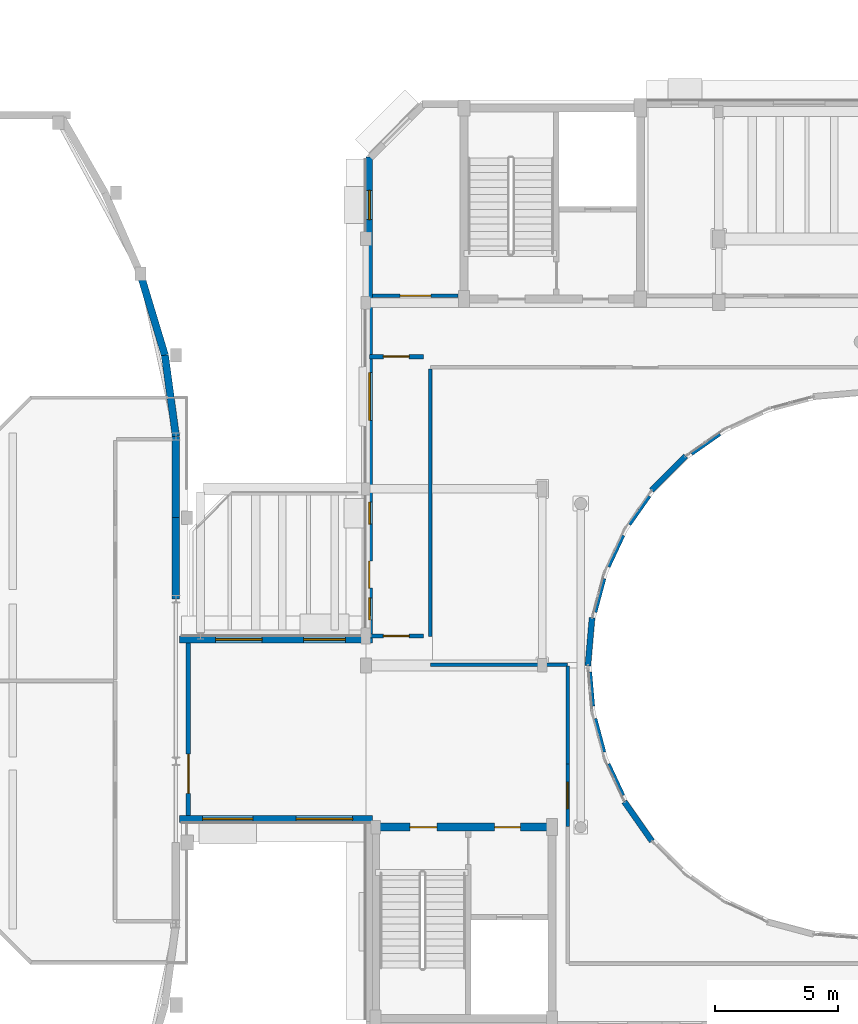
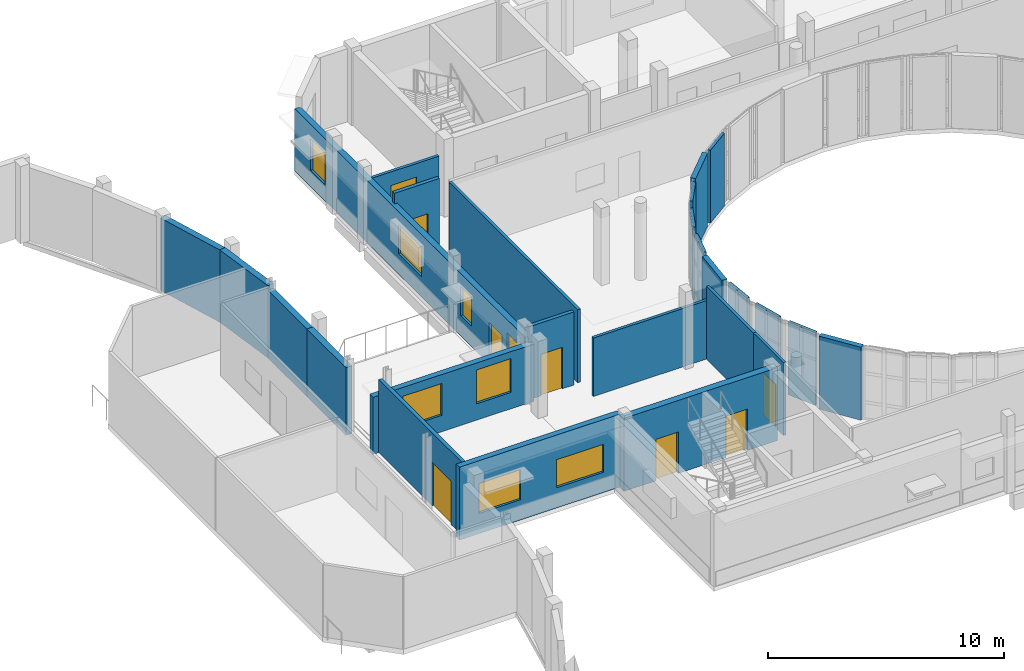
# One storey, part 66 of 92: 26 walls, 8 doors, 8 windows, 16 openings.
"""IFC4 building model written with IfcOpenShell, lengths in metres."""

from ifc_helpers import new_model, si_unit, direction, frame, frame_2d, origin, place, context, subcontext, project, spatial, rectangle, extrude, material, layer, layer_set, type_object, element, fill, save


model = new_model("IFC4")

# Units and contexts
model_context = context("Model", 3, precision=1e-05, world=origin(), true_north=direction((0.0, 1.0)))
body_context = subcontext(model_context, "Body", "Model", "MODEL_VIEW")
ifc_project = project(units=[si_unit("LENGTHUNIT", "METRE"), si_unit("AREAUNIT", "SQUARE_METRE"), si_unit("VOLUMEUNIT", "CUBIC_METRE"), si_unit("PLANEANGLEUNIT", "RADIAN"), si_unit("MASSUNIT", "GRAM", prefix="KILO")], contexts=[model_context])

# Site, building, storey
site_placement = place(None, origin())
site = spatial("IfcSite", under=ifc_project, at=site_placement, CompositionType="ELEMENT")
building_placement = place(site_placement, origin())
building = spatial("IfcBuilding", under=site, at=building_placement, Name="Kelanivale Promenade Academy", CompositionType="ELEMENT")
storey_placement = place(building_placement, frame((0.0, 0.0, 8.199951171875)))
storey = spatial("IfcBuildingStorey", under=building, at=storey_placement, Name="L02", CompositionType="ELEMENT", Elevation=8.199951171875)

# Wall, openings, doors
ifc_material_1 = material(Name="Concrete C40/50", Category="concrete")
ifc_layer_1 = layer(ifc_material_1, 0.330078125)
ifc_layer_set_1 = layer_set([ifc_layer_1], Name="Concrete C40/50")
wall_type_1 = type_object("IfcWallType", Name="CW-S1 Wall 330mm", PredefinedType="SHEAR", material=ifc_layer_set_1)
wall_1_placement = place(storey_placement, frame((43.43505859375, 50.199951171875, 0.0), z_axis=(0.0, 0.0, 1.0), x_axis=(1.0, 0.0, 0.0)))
wall_1 = element("IfcWall", 1, at=wall_1_placement, inside=storey, type_object=wall_type_1, Name="CORE-6 RC shear wall N L02", PredefinedType="SHEAR", context=body_context, shape_type="SweptSolid", body=[
    extrude(rectangle(XDim=7.530029296875, YDim=0.330078125, at=frame_2d((3.76513671875, 0.0))), origin(), (0.0, 0.0, 1.0), 3.780029296875),
])
opening_1_placement = place(wall_1_placement, frame((5.014892578125, 0.0, 0.0)))
opening_1 = element("IfcOpeningElement", 2, at=opening_1_placement, cuts=wall_1, Name="Opening FD-CORE-6-LB-L02", PredefinedType="OPENING", context=body_context, shape_type="SweptSolid", body=[
    extrude(rectangle(XDim=1.050048828125, YDim=2.14990234375, at=frame_2d((0.52490234375, 1.074951171875))), frame((0.0, 0.175048828125, 0.0), z_axis=(0.0, -1.0, 0.0), x_axis=(1.0, 0.0, 0.0)), (0.0, 0.0, 1.0), 0.35009765625),
])
opening_2_placement = place(wall_1_placement, frame((1.56494140625, 0.0, 0.0)))
opening_2 = element("IfcOpeningElement", 3, at=opening_2_placement, cuts=wall_1, Name="Opening FD-CORE-6-ST-L02", PredefinedType="OPENING", context=body_context, shape_type="SweptSolid", body=[
    extrude(rectangle(XDim=1.10009765625, YDim=2.14990234375, at=frame_2d((0.550048828125, 1.074951171875))), frame((0.0, 0.175048828125, 0.0), z_axis=(0.0, -1.0, 0.0), x_axis=(1.0, 0.0, 0.0)), (0.0, 0.0, 1.0), 0.35009765625),
])
ifc_material_2 = material(Name="Fire-rated steel-core teak veneer", Category="steel")
door_type_1 = type_object("IfcDoorType", Name="DT-F01 Door 1100x2150", OperationType="NOTDEFINED", PredefinedType="DOOR", material=ifc_material_2)
door_1_placement = place(opening_2_placement, origin())
door_1 = element("IfcDoor", 4, at=door_1_placement, inside=storey, type_object=door_type_1, Name="CORE-6 protected stair fire door L02", OperationType="SINGLE_SWING_RIGHT", OverallHeight=2.14990234375, OverallWidth=1.10009765625, PredefinedType="DOOR", context=body_context, shape_type="SweptSolid", body=[
    extrude(rectangle(XDim=1.10009765625, YDim=2.14990234375, at=frame_2d((0.550048828125, 1.074951171875))), frame((0.0, 0.02490234375, 0.0), z_axis=(0.0, -1.0, 0.0), x_axis=(1.0, 0.0, 0.0)), (0.0, 0.0, 1.0), 0.050048828125),
])
fill(opening_2, door_1)
door_type_2 = type_object("IfcDoorType", Name="DT-F03 Door 1050x2150", OperationType="NOTDEFINED", PredefinedType="DOOR", material=ifc_material_2)
door_2_placement = place(opening_1_placement, origin())
door_2 = element("IfcDoor", 5, at=door_2_placement, inside=storey, type_object=door_type_2, Name="CORE-6 corridor-to-lobby fire door L02", OperationType="SINGLE_SWING_LEFT", OverallHeight=2.14990234375, OverallWidth=1.050048828125, PredefinedType="DOOR", context=body_context, shape_type="SweptSolid", body=[
    extrude(rectangle(XDim=1.050048828125, YDim=2.14990234375, at=frame_2d((0.52490234375, 1.074951171875))), frame((0.0, 0.02490234375, 0.0), z_axis=(0.0, -1.0, 0.0), x_axis=(1.0, 0.0, 0.0)), (0.0, 0.0, 1.0), 0.050048828125),
])
fill(opening_1, door_2)

# Walls
ifc_material_3 = material(Name="Insulated terracotta-clad masonry wall 300 mm", Category="masonry")
ifc_layer_2 = layer(ifc_material_3, 0.300048828125)
ifc_layer_set_2 = layer_set([ifc_layer_2], Name="Insulated terracotta-clad masonry wall 300 mm")
wall_type_2 = type_object("IfcWallType", Name="EW-01 Wall 300mm", PredefinedType="SOLIDWALL", material=ifc_layer_set_2)
wall_2_placement = place(storey_placement, frame((35.449951171875, 59.513916015625, 0.0), z_axis=(0.0, 0.0, 1.0), x_axis=(0.0, 1.0, 0.0)))
element("IfcWall", 6, at=wall_2_placement, inside=storey, type_object=wall_type_2, Name="Sports Hall Crescent Pavilion inner crescent wall L02", PredefinedType="SOLIDWALL", context=body_context, shape_type="SweptSolid", body=[
    extrude(rectangle(XDim=3.315185546875, YDim=0.300048828125, at=frame_2d((1.65771484375, 0.0))), origin(), (0.0, 0.0, 1.0), 3.505126953125),
])
wall_3_placement = place(storey_placement, frame((35.449951171875, 62.8291015625, 0.0), z_axis=(0.0, 0.0, 1.0), x_axis=(0.0, 1.0, 0.0)))
element("IfcWall", 7, at=wall_3_placement, inside=storey, type_object=wall_type_2, Name="Sports Hall Crescent Pavilion inner crescent wall L02", PredefinedType="SOLIDWALL", context=body_context, shape_type="SweptSolid", body=[
    extrude(rectangle(XDim=3.31396484375, YDim=0.300048828125, at=frame_2d((1.656982421875, 0.0))), origin(), (0.0, 0.0, 1.0), 3.505126953125),
])
wall_4_placement = place(storey_placement, frame((35.449951171875, 66.14306640625, 0.0), z_axis=(0.0, 0.0, 1.0), x_axis=(-0.134539839792, 0.990908185206, 0.0)))
element("IfcWall", 8, at=wall_4_placement, inside=storey, type_object=wall_type_2, Name="Sports Hall Crescent Pavilion inner crescent wall L02", PredefinedType="SOLIDWALL", context=body_context, shape_type="SweptSolid", body=[
    extrude(rectangle(XDim=3.344482421875, YDim=0.300048828125, at=frame_2d((1.67236328125, 0.0))), origin(), (0.0, 0.0, 1.0), 3.7451171875),
])
wall_5_placement = place(storey_placement, frame((35.0, 69.45703125, 0.0), z_axis=(0.0, 0.0, 1.0), x_axis=(-0.288887509039, 0.957363048755, 0.0)))
element("IfcWall", 9, at=wall_5_placement, inside=storey, type_object=wall_type_2, Name="Sports Hall Crescent Pavilion inner crescent wall L02", PredefinedType="SOLIDWALL", context=body_context, shape_type="SweptSolid", body=[
    extrude(rectangle(XDim=3.461669921875, YDim=0.300048828125, at=frame_2d((1.73095703125, 0.0))), origin(), (0.0, 0.0, 1.0), 3.7451171875),
])

# Wall, openings, door, windows
ifc_material_4 = material(Name="Insulated ivory stucco masonry wall 280 mm", Category="masonry")
ifc_layer_3 = layer(ifc_material_4, 0.280029296875)
ifc_layer_set_3 = layer_set([ifc_layer_3], Name="Insulated ivory stucco masonry wall 280 mm")
wall_type_3 = type_object("IfcWallType", Name="EW-02 Wall 280mm", PredefinedType="SOLIDWALL", material=ifc_layer_set_3)
wall_6_placement = place(storey_placement, frame((43.340087890625, 77.5380859375, 0.0), z_axis=(0.0, 0.0, 1.0), x_axis=(0.0, -1.0, 0.0)))
wall_6 = element("IfcWall", 10, at=wall_6_placement, inside=storey, type_object=wall_type_3, Name="L02 exterior facade wall EW-L02-ORT-0439", PredefinedType="SOLIDWALL", context=body_context, shape_type="SweptSolid", body=[
    extrude(rectangle(XDim=19.5380859375, YDim=0.280029296875, at=frame_2d((9.76904296875, 0.0))), origin(), (0.0, 0.0, 1.0), 3.22509765625),
])
opening_3_placement = place(wall_6_placement, frame((16.488037109375, 0.0, 0.0)))
opening_3 = element("IfcOpeningElement", 11, at=opening_3_placement, cuts=wall_6, Name="Opening XD-202", PredefinedType="OPENING", context=body_context, shape_type="SweptSolid", body=[
    extrude(rectangle(XDim=1.10009765625, YDim=2.14990234375, at=frame_2d((0.550048828125, 1.074951171875))), frame((0.0, 0.14990234375, 0.0), z_axis=(0.0, -1.0, 0.0), x_axis=(1.0, 0.0, 0.0)), (0.0, 0.0, 1.0), 0.300048828125),
])
opening_4_placement = place(wall_6_placement, frame((1.35400390625, 0.0, 0.85009765625)))
opening_4 = element("IfcOpeningElement", 12, at=opening_4_placement, cuts=wall_6, Name="Opening WT-05", PredefinedType="OPENING", context=body_context, shape_type="SweptSolid", body=[
    extrude(rectangle(XDim=1.199951171875, YDim=1.64990234375, at=frame_2d((0.60009765625, 0.824951171875))), frame((0.0, 0.14990234375, 0.0), z_axis=(0.0, -1.0, 0.0), x_axis=(1.0, 0.0, 0.0)), (0.0, 0.0, 1.0), 0.300048828125),
])
opening_5_placement = place(wall_6_placement, frame((8.7939453125, 0.0, 1.050048828125)))
opening_5 = element("IfcOpeningElement", 13, at=opening_5_placement, cuts=wall_6, Name="Opening WT-22", PredefinedType="OPENING", context=body_context, shape_type="SweptSolid", body=[
    extrude(rectangle(XDim=1.949951171875, YDim=1.5, at=frame_2d((0.97509765625, 0.75))), frame((0.0, 0.14990234375, 0.0), z_axis=(0.0, -1.0, 0.0), x_axis=(1.0, 0.0, 0.0)), (0.0, 0.0, 1.0), 0.300048828125),
])
opening_6_placement = place(wall_6_placement, frame((14.076904296875, 0.0, 1.050048828125)))
opening_6 = element("IfcOpeningElement", 14, at=opening_6_placement, cuts=wall_6, Name="Opening WT-06", PredefinedType="OPENING", context=body_context, shape_type="SweptSolid", body=[
    extrude(rectangle(XDim=0.89990234375, YDim=1.5, at=frame_2d((0.449951171875, 0.75))), frame((0.0, 0.14990234375, 0.0), z_axis=(0.0, -1.0, 0.0), x_axis=(1.0, 0.0, 0.0)), (0.0, 0.0, 1.0), 0.300048828125),
])
opening_7_placement = place(wall_6_placement, frame((17.98388671875, 0.0, 1.050048828125)))
opening_7 = element("IfcOpeningElement", 15, at=opening_7_placement, cuts=wall_6, Name="Opening WT-06", PredefinedType="OPENING", context=body_context, shape_type="SweptSolid", body=[
    extrude(rectangle(XDim=0.89990234375, YDim=1.5, at=frame_2d((0.449951171875, 0.75))), frame((0.0, 0.14990234375, 0.0), z_axis=(0.0, -1.0, 0.0), x_axis=(1.0, 0.0, 0.0)), (0.0, 0.0, 1.0), 0.300048828125),
])
ifc_material_5 = material(Name="Bronze anodised aluminium and laminated glass", Category="aluminium")
door_type_3 = type_object("IfcDoorType", Name="DT-X07 Door 1100x2150", OperationType="NOTDEFINED", PredefinedType="DOOR", material=ifc_material_5)
door_3_placement = place(opening_3_placement, frame((1.10009765625, 0.0, 0.0), z_axis=(0.0, 0.0, 1.0), x_axis=(-1.0, 0.0, 0.0)))
door_3 = element("IfcDoor", 16, at=door_3_placement, inside=storey, type_object=door_type_3, Name="L02 West Shoulder Play Deck door XD-202", OperationType="SINGLE_SWING_LEFT", OverallHeight=2.14990234375, OverallWidth=1.10009765625, PredefinedType="DOOR", context=body_context, shape_type="SweptSolid", body=[
    extrude(rectangle(XDim=1.10009765625, YDim=2.14990234375, at=frame_2d((0.550048828125, 1.074951171875))), frame((0.0, 0.02490234375, 0.0), z_axis=(0.0, -1.0, 0.0), x_axis=(1.0, 0.0, 0.0)), (0.0, 0.0, 1.0), 0.050048828125),
])
fill(opening_3, door_3)
ifc_material_6 = material(Name="Bronze anodised aluminium frame with low-E laminated glass", Category="aluminium")
window_type_1 = type_object("IfcWindowType", Name="WT-05 Window 1200x1650", PartitioningType="SINGLE_PANEL", PredefinedType="WINDOW", material=ifc_material_6)
window_1_placement = place(opening_4_placement, origin())
window_1 = element("IfcWindow", 17, at=window_1_placement, inside=storey, type_object=window_type_1, Name="Window WT-05", OverallHeight=1.64990234375, OverallWidth=1.199951171875, PartitioningType="SINGLE_PANEL", PredefinedType="WINDOW", context=body_context, shape_type="SweptSolid", body=[
    extrude(rectangle(XDim=1.199951171875, YDim=1.64990234375, at=frame_2d((0.60009765625, 0.824951171875))), frame((0.0, 0.030029296875, 0.0), z_axis=(0.0, -1.0, 0.0), x_axis=(1.0, 0.0, 0.0)), (0.0, 0.0, 1.0), 0.06005859375),
])
fill(opening_4, window_1)
window_type_2 = type_object("IfcWindowType", Name="WT-06 Window 900x1500", PartitioningType="SINGLE_PANEL", PredefinedType="WINDOW", material=ifc_material_6)
window_2_placement = place(opening_6_placement, origin())
window_2 = element("IfcWindow", 18, at=window_2_placement, inside=storey, type_object=window_type_2, Name="Window WT-06", OverallHeight=1.5, OverallWidth=0.89990234375, PartitioningType="SINGLE_PANEL", PredefinedType="WINDOW", context=body_context, shape_type="SweptSolid", body=[
    extrude(rectangle(XDim=0.89990234375, YDim=1.5, at=frame_2d((0.449951171875, 0.75))), frame((0.0, 0.030029296875, 0.0), z_axis=(0.0, -1.0, 0.0), x_axis=(1.0, 0.0, 0.0)), (0.0, 0.0, 1.0), 0.06005859375),
])
fill(opening_6, window_2)
window_3_placement = place(opening_7_placement, origin())
window_3 = element("IfcWindow", 19, at=window_3_placement, inside=storey, type_object=window_type_2, Name="Window WT-06", OverallHeight=1.5, OverallWidth=0.89990234375, PartitioningType="SINGLE_PANEL", PredefinedType="WINDOW", context=body_context, shape_type="SweptSolid", body=[
    extrude(rectangle(XDim=0.89990234375, YDim=1.5, at=frame_2d((0.449951171875, 0.75))), frame((0.0, 0.030029296875, 0.0), z_axis=(0.0, -1.0, 0.0), x_axis=(1.0, 0.0, 0.0)), (0.0, 0.0, 1.0), 0.06005859375),
])
fill(opening_7, window_3)
window_type_3 = type_object("IfcWindowType", Name="WT-22 Window 1950x1500", PartitioningType="SINGLE_PANEL", PredefinedType="WINDOW", material=ifc_material_6)
window_4_placement = place(opening_5_placement, origin())
window_4 = element("IfcWindow", 20, at=window_4_placement, inside=storey, type_object=window_type_3, Name="Window WT-22", OverallHeight=1.5, OverallWidth=1.949951171875, PartitioningType="SINGLE_PANEL", PredefinedType="WINDOW", context=body_context, shape_type="SweptSolid", body=[
    extrude(rectangle(XDim=1.949951171875, YDim=1.5, at=frame_2d((0.97509765625, 0.75))), frame((0.0, 0.030029296875, 0.0), z_axis=(0.0, -1.0, 0.0), x_axis=(1.0, 0.0, 0.0)), (0.0, 0.0, 1.0), 0.06005859375),
])
fill(opening_5, window_4)

# Wall, openings, windows
wall_7_placement = place(storey_placement, frame((43.47998046875, 57.860107421875, 0.0), z_axis=(0.0, 0.0, 1.0), x_axis=(-1.0, 0.0, 0.0)))
wall_7 = element("IfcWall", 21, at=wall_7_placement, inside=storey, type_object=wall_type_3, Name="L02 exterior facade wall EW-L02-ORT-0440", PredefinedType="SOLIDWALL", context=body_context, shape_type="SweptSolid", body=[
    extrude(rectangle(XDim=7.8798828125, YDim=0.280029296875, at=frame_2d((3.93994140625, 0.0))), origin(), (0.0, 0.0, 1.0), 2.9599609375),
])
opening_8_placement = place(wall_7_placement, frame((1.1201171875, 0.0, 0.85009765625)))
opening_8 = element("IfcOpeningElement", 22, at=opening_8_placement, cuts=wall_7, Name="Opening WT-25", PredefinedType="OPENING", context=body_context, shape_type="SweptSolid", body=[
    extrude(rectangle(XDim=1.699951171875, YDim=1.75, at=frame_2d((0.85009765625, 0.875))), frame((0.0, 0.14990234375, 0.0), z_axis=(0.0, -1.0, 0.0), x_axis=(1.0, 0.0, 0.0)), (0.0, 0.0, 1.0), 0.300048828125),
])
opening_9_placement = place(wall_7_placement, frame((4.510009765625, 0.0, 0.85009765625)))
opening_9 = element("IfcOpeningElement", 23, at=opening_9_placement, cuts=wall_7, Name="Opening WT-26", PredefinedType="OPENING", context=body_context, shape_type="SweptSolid", body=[
    extrude(rectangle(XDim=1.89990234375, YDim=1.64990234375, at=frame_2d((0.949951171875, 0.824951171875))), frame((0.0, 0.14990234375, 0.0), z_axis=(0.0, -1.0, 0.0), x_axis=(1.0, 0.0, 0.0)), (0.0, 0.0, 1.0), 0.300048828125),
])
window_type_4 = type_object("IfcWindowType", Name="WT-25 Window 1700x1750", PartitioningType="SINGLE_PANEL", PredefinedType="WINDOW", material=ifc_material_6)
window_5_placement = place(opening_8_placement, origin())
window_5 = element("IfcWindow", 24, at=window_5_placement, inside=storey, type_object=window_type_4, Name="Window WT-25", OverallHeight=1.75, OverallWidth=1.699951171875, PartitioningType="SINGLE_PANEL", PredefinedType="WINDOW", context=body_context, shape_type="SweptSolid", body=[
    extrude(rectangle(XDim=1.699951171875, YDim=1.75, at=frame_2d((0.85009765625, 0.875))), frame((0.0, 0.030029296875, 0.0), z_axis=(0.0, -1.0, 0.0), x_axis=(1.0, 0.0, 0.0)), (0.0, 0.0, 1.0), 0.06005859375),
])
fill(opening_8, window_5)
window_type_5 = type_object("IfcWindowType", Name="WT-26 Window 1900x1650", PartitioningType="SINGLE_PANEL", PredefinedType="WINDOW", material=ifc_material_6)
window_6_placement = place(opening_9_placement, origin())
window_6 = element("IfcWindow", 25, at=window_6_placement, inside=storey, type_object=window_type_5, Name="Window WT-26", OverallHeight=1.64990234375, OverallWidth=1.89990234375, PartitioningType="SINGLE_PANEL", PredefinedType="WINDOW", context=body_context, shape_type="SweptSolid", body=[
    extrude(rectangle(XDim=1.89990234375, YDim=1.64990234375, at=frame_2d((0.949951171875, 0.824951171875))), frame((0.0, 0.030029296875, 0.0), z_axis=(0.0, -1.0, 0.0), x_axis=(1.0, 0.0, 0.0)), (0.0, 0.0, 1.0), 0.06005859375),
])
fill(opening_9, window_6)

wall_8_placement = place(storey_placement, frame((35.60009765625, 50.5400390625, 0.0), z_axis=(0.0, 0.0, 1.0), x_axis=(1.0, 0.0, 0.0)))
wall_8 = element("IfcWall", 26, at=wall_8_placement, inside=storey, type_object=wall_type_3, Name="L02 exterior facade wall EW-L02-ORT-0441", PredefinedType="SOLIDWALL", context=body_context, shape_type="SweptSolid", body=[
    extrude(rectangle(XDim=7.8798828125, YDim=0.280029296875, at=frame_2d((3.93994140625, 0.0))), origin(), (0.0, 0.0, 1.0), 3.780029296875),
])
opening_10_placement = place(wall_8_placement, frame((0.945068359375, 0.0, 1.050048828125)))
opening_10 = element("IfcOpeningElement", 27, at=opening_10_placement, cuts=wall_8, Name="Opening WT-27", PredefinedType="OPENING", context=body_context, shape_type="SweptSolid", body=[
    extrude(rectangle(XDim=2.050048828125, YDim=1.550048828125, at=frame_2d((1.02490234375, 0.77490234375))), frame((0.0, 0.14990234375, 0.0), z_axis=(0.0, -1.0, 0.0), x_axis=(1.0, 0.0, 0.0)), (0.0, 0.0, 1.0), 0.300048828125),
])
opening_11_placement = place(wall_8_placement, frame((4.760009765625, 0.0, 1.050048828125)))
opening_11 = element("IfcOpeningElement", 28, at=opening_11_placement, cuts=wall_8, Name="Opening WT-28", PredefinedType="OPENING", context=body_context, shape_type="SweptSolid", body=[
    extrude(rectangle(XDim=2.300048828125, YDim=1.449951171875, at=frame_2d((1.14990234375, 0.72509765625))), frame((0.0, 0.14990234375, 0.0), z_axis=(0.0, -1.0, 0.0), x_axis=(1.0, 0.0, 0.0)), (0.0, 0.0, 1.0), 0.300048828125),
])
window_type_6 = type_object("IfcWindowType", Name="WT-27 Window 2050x1550", PartitioningType="SINGLE_PANEL", PredefinedType="WINDOW", material=ifc_material_6)
window_7_placement = place(opening_10_placement, origin())
window_7 = element("IfcWindow", 29, at=window_7_placement, inside=storey, type_object=window_type_6, Name="Window WT-27", OverallHeight=1.550048828125, OverallWidth=2.050048828125, PartitioningType="SINGLE_PANEL", PredefinedType="WINDOW", context=body_context, shape_type="SweptSolid", body=[
    extrude(rectangle(XDim=2.050048828125, YDim=1.550048828125, at=frame_2d((1.02490234375, 0.77490234375))), frame((0.0, 0.030029296875, 0.0), z_axis=(0.0, -1.0, 0.0), x_axis=(1.0, 0.0, 0.0)), (0.0, 0.0, 1.0), 0.06005859375),
])
fill(opening_10, window_7)
window_type_7 = type_object("IfcWindowType", Name="WT-28 Window 2300x1450", PartitioningType="SINGLE_PANEL", PredefinedType="WINDOW", material=ifc_material_6)
window_8_placement = place(opening_11_placement, origin())
window_8 = element("IfcWindow", 30, at=window_8_placement, inside=storey, type_object=window_type_7, Name="Window WT-28", OverallHeight=1.449951171875, OverallWidth=2.300048828125, PartitioningType="SINGLE_PANEL", PredefinedType="WINDOW", context=body_context, shape_type="SweptSolid", body=[
    extrude(rectangle(XDim=2.300048828125, YDim=1.449951171875, at=frame_2d((1.14990234375, 0.72509765625))), frame((0.0, 0.030029296875, 0.0), z_axis=(0.0, -1.0, 0.0), x_axis=(1.0, 0.0, 0.0)), (0.0, 0.0, 1.0), 0.06005859375),
])
fill(opening_11, window_8)

# Walls
ifc_material_7 = material(Name="Insulated courtyard stucco masonry wall 240 mm", Category="masonry")
ifc_layer_4 = layer(ifc_material_7, 0.239990234375)
ifc_layer_set_4 = layer_set([ifc_layer_4], Name="Insulated courtyard stucco masonry wall 240 mm")
wall_type_4 = type_object("IfcWallType", Name="EW-04 Wall 240mm", PredefinedType="SOLIDWALL", material=ifc_layer_set_4)
for number, where, z_axis, x_axis, name in (
    (31, (56.248046875, 65.343017578125, 0.0), (0.0, 0.0, 1.0), (-0.707106781187, -0.707106781187, 0.0), "L02 round courtyard stucco wall"),
    (32, (52.429931640625, 58.7470703125, 0.0), (0.0, 0.0, 1.0), (-0.086865228015, -0.996220072154, 0.0), "L02 round courtyard stucco wall"),
):
    element("IfcWall", number, at=place(storey_placement, frame(where, z_axis=z_axis, x_axis=x_axis)), inside=storey, type_object=wall_type_4, Name=name, PredefinedType="SOLIDWALL", context=body_context, shape_type="SweptSolid", body=[
        extrude(rectangle(XDim=1.96728515625, YDim=0.239990234375, at=frame_2d((0.983642578125, 0.0))), origin(), (0.0, 0.0, 1.0), 3.780029296875),
    ])
wall_9_placement = place(storey_placement, frame((53.7451171875, 51.239990234375, 0.0), z_axis=(0.0, 0.0, 1.0), x_axis=(0.573520663092, -0.819191094316, 0.0)))
element("IfcWall", 33, at=wall_9_placement, inside=storey, type_object=wall_type_4, Name="L02 round courtyard stucco wall", PredefinedType="SOLIDWALL", context=body_context, shape_type="SweptSolid", body=[
    extrude(rectangle(XDim=1.966796875, YDim=0.239990234375, at=frame_2d((0.9833984375, 0.0))), origin(), (0.0, 0.0, 1.0), 3.780029296875),
])

# Wall, opening, door
ifc_material_8 = material(Name="Autoclaved masonry blockwork 180 mm", Category="masonry")
ifc_layer_5 = layer(ifc_material_8, 0.179931640625)
ifc_layer_set_5 = layer_set([ifc_layer_5], Name="Autoclaved masonry blockwork 180 mm")
wall_type_5 = type_object("IfcWallType", Name="IW-02 Wall 180mm", PredefinedType="PARTITIONING", material=ifc_layer_set_5)
wall_10_placement = place(storey_placement, frame((35.9599609375, 50.677978515625, 0.0), z_axis=(0.0, 0.0, 1.0), x_axis=(0.0, 1.0, 0.0)))
wall_10 = element("IfcWall", 34, at=wall_10_placement, inside=storey, type_object=wall_type_5, Name="L02 movement-joint corridor fire wall W", PredefinedType="PARTITIONING", context=body_context, shape_type="SweptSolid", body=[
    extrude(rectangle(XDim=7.0439453125, YDim=0.179931640625, at=frame_2d((3.52197265625, 0.0))), origin(), (0.0, 0.0, 1.0), 3.780029296875),
])
opening_12_placement = place(wall_10_placement, frame((0.89990234375, 0.0, 0.0)))
opening_12 = element("IfcOpeningElement", 35, at=opening_12_placement, cuts=wall_10, Name="Opening FD-L02-MJ-W", PredefinedType="OPENING", context=body_context, shape_type="SweptSolid", body=[
    extrude(rectangle(XDim=1.60009765625, YDim=2.25, at=frame_2d((0.800048828125, 1.125))), frame((0.0, 0.10009765625, 0.0), z_axis=(0.0, -1.0, 0.0), x_axis=(1.0, 0.0, 0.0)), (0.0, 0.0, 1.0), 0.199951171875),
])
door_type_4 = type_object("IfcDoorType", Name="DT-F09 Door 1600x2250", OperationType="NOTDEFINED", PredefinedType="DOOR", material=ifc_material_2)
door_4_placement = place(opening_12_placement, origin())
door_4 = element("IfcDoor", 36, at=door_4_placement, inside=storey, type_object=door_type_4, Name="L02 movement-joint corridor double fire door W", OperationType="DOUBLE_DOOR_SINGLE_SWING", OverallHeight=2.25, OverallWidth=1.60009765625, PredefinedType="DOOR", context=body_context, shape_type="SweptSolid", body=[
    extrude(rectangle(XDim=1.60009765625, YDim=2.25, at=frame_2d((0.800048828125, 1.125))), frame((0.0, 0.02490234375, 0.0), z_axis=(0.0, -1.0, 0.0), x_axis=(1.0, 0.0, 0.0)), (0.0, 0.0, 1.0), 0.050048828125),
])
fill(opening_12, door_4)

wall_11_placement = place(storey_placement, frame((43.3359375, 58.0, 0.0), z_axis=(0.0, 0.0, 1.0), x_axis=(1.0, 0.0, 0.0)))
wall_11 = element("IfcWall", 37, at=wall_11_placement, inside=storey, type_object=wall_type_5, Name="L02 cross-corridor fire wall", PredefinedType="PARTITIONING", context=body_context, shape_type="SweptSolid", body=[
    extrude(rectangle(XDim=2.214111328125, YDim=0.179931640625, at=frame_2d((1.10693359375, 0.0))), origin(), (0.0, 0.0, 1.0), 3.780029296875),
])
opening_13_placement = place(wall_11_placement, frame((0.58203125, 0.0, 0.0)))
opening_13 = element("IfcOpeningElement", 38, at=opening_13_placement, cuts=wall_11, Name="Opening FD-L02-CC-103", PredefinedType="OPENING", context=body_context, shape_type="SweptSolid", body=[
    extrude(rectangle(XDim=1.050048828125, YDim=2.14990234375, at=frame_2d((0.52490234375, 1.074951171875))), frame((0.0, 0.10009765625, 0.0), z_axis=(0.0, -1.0, 0.0), x_axis=(1.0, 0.0, 0.0)), (0.0, 0.0, 1.0), 0.199951171875),
])
door_5_placement = place(opening_13_placement, origin())
door_5 = element("IfcDoor", 39, at=door_5_placement, inside=storey, type_object=door_type_2, Name="L02 cross-corridor fire door FD-L02-CC-103", OperationType="SINGLE_SWING_LEFT", OverallHeight=2.14990234375, OverallWidth=1.050048828125, PredefinedType="DOOR", context=body_context, shape_type="SweptSolid", body=[
    extrude(rectangle(XDim=1.050048828125, YDim=2.14990234375, at=frame_2d((0.52490234375, 1.074951171875))), frame((0.0, 0.02490234375, 0.0), z_axis=(0.0, -1.0, 0.0), x_axis=(1.0, 0.0, 0.0)), (0.0, 0.0, 1.0), 0.050048828125),
])
fill(opening_13, door_5)

wall_12_placement = place(storey_placement, frame((43.341064453125, 69.39990234375, 0.0), z_axis=(0.0, 0.0, 1.0), x_axis=(1.0, 0.0, 0.0)))
wall_12 = element("IfcWall", 40, at=wall_12_placement, inside=storey, type_object=wall_type_5, Name="L02 cross-corridor fire wall", PredefinedType="PARTITIONING", context=body_context, shape_type="SweptSolid", body=[
    extrude(rectangle(XDim=2.208984375, YDim=0.179931640625, at=frame_2d((1.1044921875, 0.0))), origin(), (0.0, 0.0, 1.0), 3.780029296875),
])
opening_14_placement = place(wall_12_placement, frame((0.5791015625, 0.0, 0.0)))
opening_14 = element("IfcOpeningElement", 41, at=opening_14_placement, cuts=wall_12, Name="Opening FD-L02-CC-108", PredefinedType="OPENING", context=body_context, shape_type="SweptSolid", body=[
    extrude(rectangle(XDim=1.050048828125, YDim=2.14990234375, at=frame_2d((0.52490234375, 1.074951171875))), frame((0.0, 0.10009765625, 0.0), z_axis=(0.0, -1.0, 0.0), x_axis=(1.0, 0.0, 0.0)), (0.0, 0.0, 1.0), 0.199951171875),
])
door_6_placement = place(opening_14_placement, origin())
door_6 = element("IfcDoor", 42, at=door_6_placement, inside=storey, type_object=door_type_2, Name="L02 cross-corridor fire door FD-L02-CC-108", OperationType="SINGLE_SWING_RIGHT", OverallHeight=2.14990234375, OverallWidth=1.050048828125, PredefinedType="DOOR", context=body_context, shape_type="SweptSolid", body=[
    extrude(rectangle(XDim=1.050048828125, YDim=2.14990234375, at=frame_2d((0.52490234375, 1.074951171875))), frame((0.0, 0.02490234375, 0.0), z_axis=(0.0, -1.0, 0.0), x_axis=(1.0, 0.0, 0.0)), (0.0, 0.0, 1.0), 0.050048828125),
])
fill(opening_14, door_6)

# Walls
ifc_material_9 = material(Name="Acoustic double-stud gypsum board partition 140 mm", Category="masonry")
ifc_layer_6 = layer(ifc_material_9, 0.139892578125)
ifc_layer_set_6 = layer_set([ifc_layer_6], Name="Acoustic double-stud gypsum board partition 140 mm")
wall_type_6 = type_object("IfcWallType", Name="IW-04 Wall 140mm", PredefinedType="PARTITIONING", material=ifc_layer_set_6)
wall_13_placement = place(storey_placement, frame((53.7041015625, 51.4990234375, 0.0), z_axis=(0.0, 0.0, 1.0), x_axis=(-0.423348930736, 0.905966711775, 0.0)))
element("IfcWall", 43, at=wall_13_placement, inside=storey, type_object=wall_type_6, Name="L02 partition Secondary Classroom West A", PredefinedType="PARTITIONING", context=body_context, shape_type="SweptSolid", body=[
    extrude(rectangle(XDim=1.412841796875, YDim=0.139892578125, at=frame_2d((0.70654296875, 0.0))), origin(), (0.0, 0.0, 1.0), 3.775146484375),
])
wall_14_placement = place(storey_placement, frame((52.929931640625, 53.263916015625, 0.0), z_axis=(0.0, 0.0, 1.0), x_axis=(-0.258491202719, 0.966013611766, 0.0)))
element("IfcWall", 44, at=wall_14_placement, inside=storey, type_object=wall_type_6, Name="L02 partition Secondary Classroom West A", PredefinedType="PARTITIONING", context=body_context, shape_type="SweptSolid", body=[
    extrude(rectangle(XDim=1.412109375, YDim=0.139892578125, at=frame_2d((0.7060546875, 0.0))), origin(), (0.0, 0.0, 1.0), 3.775146484375),
])
wall_15_placement = place(storey_placement, frame((52.47509765625, 55.135009765625, 0.0), z_axis=(0.0, 0.0, 1.0), x_axis=(-0.086916960031, 0.996215560037, 0.0)))
element("IfcWall", 45, at=wall_15_placement, inside=storey, type_object=wall_type_6, Name="L02 partition Secondary Classroom West A", PredefinedType="PARTITIONING", context=body_context, shape_type="SweptSolid", body=[
    extrude(rectangle(XDim=1.393310546875, YDim=0.139892578125, at=frame_2d((0.69677734375, 0.0))), origin(), (0.0, 0.0, 1.0), 3.775146484375),
])
wall_16_placement = place(storey_placement, frame((51.429931640625, 56.77001953125, 0.0), z_axis=(0.0, 0.0, 1.0), x_axis=(0.0, -1.0, 0.0)))
element("IfcWall", 46, at=wall_16_placement, inside=storey, type_object=wall_type_6, Name="L02 partition Secondary Classroom West A", PredefinedType="PARTITIONING", context=body_context, shape_type="SweptSolid", body=[
    extrude(rectangle(XDim=4.0, YDim=0.139892578125, at=frame_2d((2.0, 0.0))), origin(), (0.0, 0.0, 1.0), 3.775146484375),
])

# Wall, opening, door
wall_17_placement = place(storey_placement, frame((51.429931640625, 52.77001953125, 0.0), z_axis=(0.0, 0.0, 1.0), x_axis=(0.0, -1.0, 0.0)))
wall_17 = element("IfcWall", 47, at=wall_17_placement, inside=storey, type_object=wall_type_6, Name="L02 partition Secondary Classroom West A", PredefinedType="PARTITIONING", context=body_context, shape_type="SweptSolid", body=[
    extrude(rectangle(XDim=2.5400390625, YDim=0.139892578125, at=frame_2d((1.27001953125, 0.0))), origin(), (0.0, 0.0, 1.0), 3.775146484375),
])
opening_15_placement = place(wall_17_placement, frame((0.72998046875, 0.0, 0.0)))
opening_15 = element("IfcOpeningElement", 48, at=opening_15_placement, cuts=wall_17, Name="Opening ID-L02-120", PredefinedType="OPENING", context=body_context, shape_type="SweptSolid", body=[
    extrude(rectangle(XDim=1.080078125, YDim=2.159912109375, at=frame_2d((0.5400390625, 1.080078125))), frame((0.0, 0.080078125, 0.0), z_axis=(0.0, -1.0, 0.0), x_axis=(1.0, 0.0, 0.0)), (0.0, 0.0, 1.0), 0.159912109375),
])
ifc_material_10 = material(Name="Solid-core tropical teak timber", Category="wood")
door_type_5 = type_object("IfcDoorType", Name="DT-I16 Door 1080x2160", OperationType="NOTDEFINED", PredefinedType="DOOR", material=ifc_material_10)
door_7_placement = place(opening_15_placement, origin())
door_7 = element("IfcDoor", 49, at=door_7_placement, inside=storey, type_object=door_type_5, Name="Secondary Classroom West A door ID-L02-120", OperationType="SINGLE_SWING_RIGHT", OverallHeight=2.159912109375, OverallWidth=1.080078125, PredefinedType="DOOR", context=body_context, shape_type="SweptSolid", body=[
    extrude(rectangle(XDim=1.080078125, YDim=2.159912109375, at=frame_2d((0.5400390625, 1.080078125))), frame((0.0, 0.02490234375, 0.0), z_axis=(0.0, -1.0, 0.0), x_axis=(1.0, 0.0, 0.0)), (0.0, 0.0, 1.0), 0.050048828125),
])
fill(opening_15, door_7)

# Walls
wall_18_placement = place(storey_placement, frame((56.4951171875, 65.427978515625, 0.0), z_axis=(0.0, 0.0, 1.0), x_axis=(0.819077743108, 0.57368253481, 0.0)))
element("IfcWall", 50, at=wall_18_placement, inside=storey, type_object=wall_type_6, Name="L02 partition Secondary Classroom West B", PredefinedType="PARTITIONING", context=body_context, shape_type="SweptSolid", body=[
    extrude(rectangle(XDim=1.413818359375, YDim=0.139892578125, at=frame_2d((0.70703125, 0.0))), origin(), (0.0, 0.0, 1.0), 3.775146484375),
])
wall_19_placement = place(storey_placement, frame((45.830078125, 68.902099609375, 0.0), z_axis=(0.0, 0.0, 1.0), x_axis=(0.0, -1.0, 0.0)))
element("IfcWall", 51, at=wall_19_placement, inside=storey, type_object=wall_type_6, Name="L02 partition Secondary Classroom West B", PredefinedType="PARTITIONING", context=body_context, shape_type="SweptSolid", body=[
    extrude(rectangle(XDim=10.93212890625, YDim=0.139892578125, at=frame_2d((5.466064453125, 0.0))), origin(), (0.0, 0.0, 1.0), 3.775146484375),
])
wall_20_placement = place(storey_placement, frame((45.830078125, 56.830078125, 0.0), z_axis=(0.0, 0.0, 1.0), x_axis=(1.0, 0.0, 0.0)))
element("IfcWall", 52, at=wall_20_placement, inside=storey, type_object=wall_type_6, Name="L02 partition Secondary Classroom West B", PredefinedType="PARTITIONING", context=body_context, shape_type="SweptSolid", body=[
    extrude(rectangle(XDim=5.599853515625, YDim=0.139892578125, at=frame_2d((2.7998046875, 0.0))), origin(), (0.0, 0.0, 1.0), 3.025146484375),
])
wall_21_placement = place(storey_placement, frame((52.56494140625, 58.971923828125, 0.0), z_axis=(0.0, 0.0, 1.0), x_axis=(0.258491202719, 0.966013611766, 0.0)))
element("IfcWall", 53, at=wall_21_placement, inside=storey, type_object=wall_type_6, Name="L02 partition Secondary Classroom West B", PredefinedType="PARTITIONING", context=body_context, shape_type="SweptSolid", body=[
    extrude(rectangle(XDim=1.412109375, YDim=0.139892578125, at=frame_2d((0.7060546875, 0.0))), origin(), (0.0, 0.0, 1.0), 3.775146484375),
])
wall_22_placement = place(storey_placement, frame((53.10595703125, 60.821044921875, 0.0), z_axis=(0.0, 0.0, 1.0), x_axis=(0.423348930736, 0.905966711775, 0.0)))
element("IfcWall", 54, at=wall_22_placement, inside=storey, type_object=wall_type_6, Name="L02 partition Secondary Classroom West B", PredefinedType="PARTITIONING", context=body_context, shape_type="SweptSolid", body=[
    extrude(rectangle(XDim=1.412841796875, YDim=0.139892578125, at=frame_2d((0.70654296875, 0.0))), origin(), (0.0, 0.0, 1.0), 3.775146484375),
])
wall_23_placement = place(storey_placement, frame((53.9609375, 62.547119140625, 0.0), z_axis=(0.0, 0.0, 1.0), x_axis=(0.57368253481, 0.819077743108, 0.0)))
element("IfcWall", 55, at=wall_23_placement, inside=storey, type_object=wall_type_6, Name="L02 partition Secondary Classroom West B", PredefinedType="PARTITIONING", context=body_context, shape_type="SweptSolid", body=[
    extrude(rectangle(XDim=1.413818359375, YDim=0.139892578125, at=frame_2d((0.70703125, 0.0))), origin(), (0.0, 0.0, 1.0), 3.775146484375),
])

# Wall, opening, door
wall_24_placement = place(storey_placement, frame((43.47802734375, 71.8798828125, 0.0), z_axis=(0.0, 0.0, 1.0), x_axis=(1.0, 0.0, 0.0)))
wall_24 = element("IfcWall", 56, at=wall_24_placement, inside=storey, type_object=wall_type_6, Name="L02 partition Pastoral Seminar Room", PredefinedType="PARTITIONING", context=body_context, shape_type="SweptSolid", body=[
    extrude(rectangle(XDim=3.491943359375, YDim=0.139892578125, at=frame_2d((1.74609375, 0.0))), origin(), (0.0, 0.0, 1.0), 2.925048828125),
])
opening_16_placement = place(wall_24_placement, frame((1.12109375, 0.0, 0.0)))
opening_16 = element("IfcOpeningElement", 57, at=opening_16_placement, cuts=wall_24, Name="Opening ID-L02-136", PredefinedType="OPENING", context=body_context, shape_type="SweptSolid", body=[
    extrude(rectangle(XDim=1.25, YDim=2.219970703125, at=frame_2d((0.625, 1.10986328125))), frame((0.0, 0.080078125, 0.0), z_axis=(0.0, -1.0, 0.0), x_axis=(1.0, 0.0, 0.0)), (0.0, 0.0, 1.0), 0.159912109375),
])
door_type_6 = type_object("IfcDoorType", Name="DT-I19 Door 1250x2220", OperationType="NOTDEFINED", PredefinedType="DOOR", material=ifc_material_10)
door_8_placement = place(opening_16_placement, origin())
door_8 = element("IfcDoor", 58, at=door_8_placement, inside=storey, type_object=door_type_6, Name="Pastoral Seminar Room door ID-L02-136", OperationType="SINGLE_SWING_LEFT", OverallHeight=2.219970703125, OverallWidth=1.25, PredefinedType="DOOR", context=body_context, shape_type="SweptSolid", body=[
    extrude(rectangle(XDim=1.25, YDim=2.219970703125, at=frame_2d((0.625, 1.10986328125))), frame((0.0, 0.02490234375, 0.0), z_axis=(0.0, -1.0, 0.0), x_axis=(1.0, 0.0, 0.0)), (0.0, 0.0, 1.0), 0.050048828125),
])
fill(opening_16, door_8)

save(model, "model.ifc")
